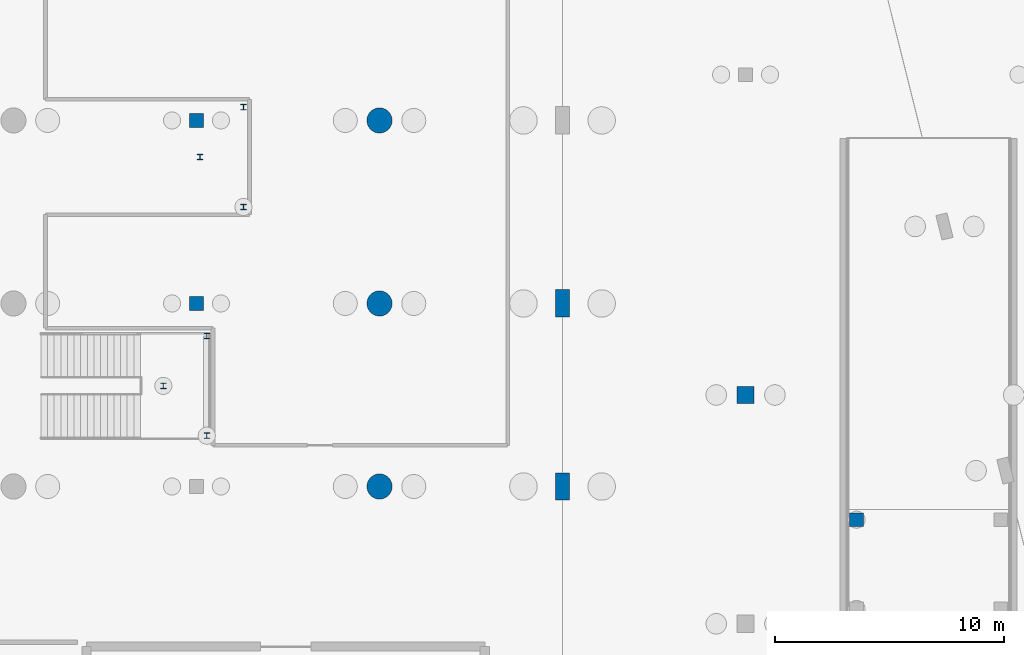
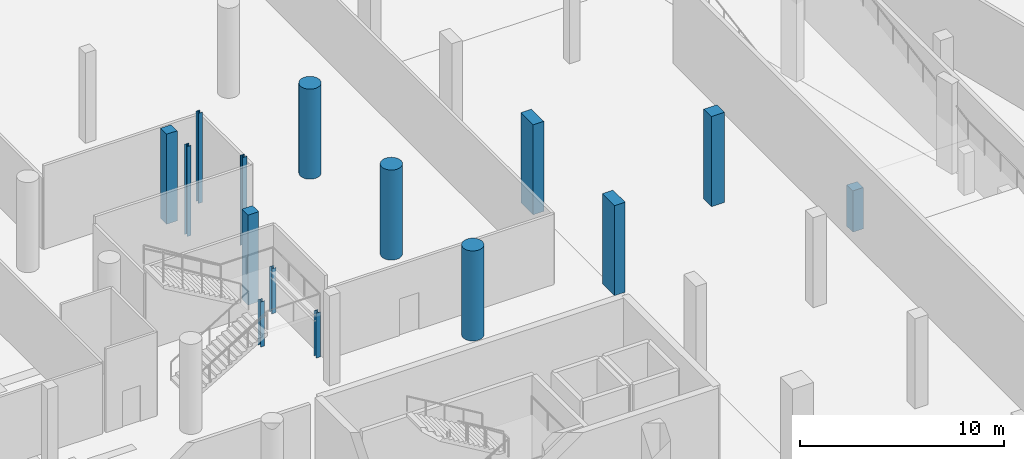
# One storey, part 35 of 65: 15 columns.
"""IFC4 building model written with IfcOpenShell, lengths in metres."""

import ifcopenshell
import ifcopenshell.guid

model = None  # the IFC model being written
_history = None  # IfcOwnerHistory: only IFC2X3 demands one
_inside = {}  # id of a spatial element -> (the spatial element, [elements in it])
_under = {}  # id of a project, library or spatial element -> (it, [spatial elements below it])
_declared = {}  # id of a project -> (the project, [libraries it declares])
_typed = {}  # id of a type object -> (the type object, [elements of that type])
_made_of = {}  # id of a material, layer set ... -> (it, [elements and type objects made of it])


def new_model(schema):
    """Start an empty IFC model of exactly this schema.

    Asked for "IFC4X3", IfcOpenShell would pick the latest addendum, in which some entities
    have other attributes; the version numbers below select the first issue.
    IFC2X3 requires an IfcOwnerHistory on every rooted entity: one is made here for all.
    """
    global model, _history
    if schema == "IFC4X3":
        model = ifcopenshell.file(schema_version=(4, 3, 0, 0))
    else:
        model = ifcopenshell.file(schema=schema)
    _inside.clear()
    _under.clear()
    _declared.clear()
    _typed.clear()
    _made_of.clear()
    _history = None
    if model.schema == "IFC2X3":
        org = make("IfcOrganization", Name="unknown")
        user = make(
            "IfcPersonAndOrganization",
            ThePerson=make("IfcPerson", FamilyName="unknown"),
            TheOrganization=org,
        )
        app = make(
            "IfcApplication",
            ApplicationDeveloper=org,
            Version="unknown",
            ApplicationFullName="unknown",
            ApplicationIdentifier="unknown",
        )
        _history = make(
            "IfcOwnerHistory",
            OwningUser=user,
            OwningApplication=app,
            ChangeAction="ADDED",
            CreationDate=0,
        )
    return model


def make(cls, **values):
    """One entity of the class cls with the attributes given. An attribute that is None is left unset."""
    return model.create_entity(
        cls, **{name: value for name, value in values.items() if value is not None}
    )


def rooted(cls, **values):
    """An entity with a GlobalId (a new one), such as an element, a storey or a relation."""
    return make(cls, GlobalId=ifcopenshell.guid.new(), OwnerHistory=_history, **values)


def si_unit(unit_type, name, prefix=None):
    """IfcSIUnit, for example si_unit("LENGTHUNIT", "METRE", prefix="MILLI")."""
    return make("IfcSIUnit", UnitType=unit_type, Prefix=prefix, Name=name)


def assignment(units):
    """IfcUnitAssignment: the units of a project."""
    return None if units is None else make("IfcUnitAssignment", Units=units)


def point(xyz):
    """IfcCartesianPoint."""
    return None if xyz is None else make("IfcCartesianPoint", Coordinates=xyz)


def direction(xyz):
    """IfcDirection."""
    return None if xyz is None else make("IfcDirection", DirectionRatios=xyz)


def frame(location, z_axis=None, x_axis=None):
    """IfcAxis2Placement3D, a coordinate frame: its origin and axes. An axis left out is left unset."""
    return make(
        "IfcAxis2Placement3D",
        Location=point(location),
        Axis=direction(z_axis),
        RefDirection=direction(x_axis),
    )


def frame_2d(location, x_axis=None):
    """IfcAxis2Placement2D, a coordinate frame in the plane: its origin and x axis."""
    return make(
        "IfcAxis2Placement2D", Location=point(location), RefDirection=direction(x_axis)
    )


def origin():
    """The frame at (0, 0, 0) with its axes left unset."""
    return frame((0.0, 0.0, 0.0))


def origin_2d():
    """The frame at (0, 0) in the plane with its x axis left unset."""
    return frame_2d((0.0, 0.0))


def place(relative_to, where):
    """IfcLocalPlacement: puts the frame where relative to a parent placement (None: the world)."""
    return make(
        "IfcLocalPlacement", PlacementRelTo=relative_to, RelativePlacement=where
    )


def context(
    kind, dimensions, precision=None, world=None, true_north=None, identifier=None
):
    """IfcGeometricRepresentationContext, for example the 3D "Model" context."""
    return make(
        "IfcGeometricRepresentationContext",
        ContextIdentifier=identifier,
        ContextType=kind,
        CoordinateSpaceDimension=dimensions,
        Precision=precision,
        WorldCoordinateSystem=world,
        TrueNorth=true_north,
    )


def subcontext(parent, identifier, kind, view, scale=None):
    """IfcGeometricRepresentationSubContext, for example "Body" below "Model"."""
    return make(
        "IfcGeometricRepresentationSubContext",
        ContextIdentifier=identifier,
        ContextType=kind,
        ParentContext=parent,
        TargetScale=scale,
        TargetView=view,
    )


def project(units=None, contexts=None):
    """IfcProject with its units and contexts."""
    return rooted(
        "IfcProject",
        Name="project",
        RepresentationContexts=contexts,
        UnitsInContext=assignment(units),
    )


def spatial(cls, under=None, at=None, **own):
    """A site, building, storey or space (cls), placed at a placement, below another one or the project."""
    s = rooted(cls, ObjectPlacement=at, **own)
    if under is not None:
        _under.setdefault(under.id(), (under, []))[1].append(s)
    return s


def profile(cls, at=None, kind="AREA", **sizes):
    """A parametric profile (cls). Its sizes go by their IFC names, for example OverallWidth=200.0."""
    return make(cls, ProfileType=kind, Position=at, **sizes)


def rectangle(**sizes):
    """IfcRectangleProfileDef."""
    return profile("IfcRectangleProfileDef", **sizes)


def circle(**sizes):
    """IfcCircleProfileDef."""
    return profile("IfcCircleProfileDef", **sizes)


def i_section(**sizes):
    """IfcIShapeProfileDef."""
    return profile("IfcIShapeProfileDef", **sizes)


def extrude(swept, where, along, depth):
    """IfcExtrudedAreaSolid: the profile swept, set in the frame where, extruded along a direction by depth."""
    return make(
        "IfcExtrudedAreaSolid",
        SweptArea=swept,
        Position=where,
        ExtrudedDirection=direction(along),
        Depth=depth,
    )


def shape(context_of_items, identifier, shape_type, items):
    """IfcShapeRepresentation: the items that make up one representation, for example the "Body"."""
    return make(
        "IfcShapeRepresentation",
        ContextOfItems=context_of_items,
        RepresentationIdentifier=identifier,
        RepresentationType=shape_type,
        Items=items,
    )


def material(Name=None, Category=None):
    """IfcMaterial."""
    return make("IfcMaterial", Name=Name, Category=Category)


def material_profile(
    of_material, cross_section, Name=None, Category=None, Priority=None
):
    """IfcMaterialProfile: a cross section and its material."""
    return make(
        "IfcMaterialProfile",
        Name=Name,
        Material=of_material,
        Profile=cross_section,
        Priority=Priority,
        Category=Category,
    )


def profile_set(profiles, Name=None, composite=None):
    """IfcMaterialProfileSet."""
    return make(
        "IfcMaterialProfileSet",
        Name=Name,
        MaterialProfiles=profiles,
        CompositeProfile=composite,
    )


def made_of(thing, what):
    """Note that an element or type object is made of a material, layer set ...; save() writes the relation."""
    if what is not None:
        _made_of.setdefault(what.id(), (what, []))[1].append(thing)
    return thing


def type_object(cls, material=None, **own):
    """A type object (cls), such as IfcWallType, which elements share."""
    return made_of(rooted(cls, **own), material)


def element(
    cls,
    number,
    at=None,
    inside=None,
    cuts=None,
    type_object=None,
    material=None,
    context=None,
    identifier="Body",
    shape_type=None,
    held_by="IfcProductDefinitionShape",
    body=None,
    shapes=None,
    **own,
):
    """One element of the class cls, such as IfcWall. Its Tag is "e" and its number.

    at: its placement. inside: the storey or other place that contains it. cuts: it is an
    opening in that element (IfcRelVoidsElement). A single representation is given by context,
    identifier, shape_type and body (its items); several are given by shapes. held_by: the class
    of the entity that holds the representations. save() writes the other relations.
    """
    e = rooted(cls, Tag="e%d" % number, ObjectPlacement=at, **own)
    if body is not None:
        shapes = [shape(context, identifier, shape_type, body)]
    if shapes is not None:
        e.Representation = make(held_by, Representations=shapes)
    if inside is not None:
        _inside.setdefault(inside.id(), (inside, []))[1].append(e)
    if cuts is not None:
        rooted(
            "IfcRelVoidsElement", RelatingBuildingElement=cuts, RelatedOpeningElement=e
        )
    if type_object is not None:
        _typed.setdefault(type_object.id(), (type_object, []))[1].append(e)
    return made_of(e, material)


def aggregate(whole, parts):
    """IfcRelAggregates: a whole, such as a stair, and the parts it consists of."""
    return rooted("IfcRelAggregates", RelatingObject=whole, RelatedObjects=parts)


def save(model, path):
    """Write the relations noted so far, then the file.

    IfcRelAggregates (storeys below a building ...), IfcRelContainedInSpatialStructure (elements
    in a storey), IfcRelDefinesByType, IfcRelAssociatesMaterial and IfcRelDeclares: one each for
    every whole, place, type object, material and project.
    """
    for whole, parts in _under.values():
        aggregate(whole, parts)
    for where, things in _inside.values():
        rooted(
            "IfcRelContainedInSpatialStructure",
            RelatedElements=things,
            RelatingStructure=where,
        )
    for kind, things in _typed.values():
        rooted("IfcRelDefinesByType", RelatedObjects=things, RelatingType=kind)
    for what, things in _made_of.values():
        rooted("IfcRelAssociatesMaterial", RelatedObjects=things, RelatingMaterial=what)
    for by, libraries in _declared.values():
        rooted("IfcRelDeclares", RelatingContext=by, RelatedDefinitions=libraries)
    model.write(path)


model = new_model("IFC4")

# Units and contexts
model_context = context("Model", 3, precision=1e-05, world=origin(), true_north=direction((0.0, 1.0)))
body_context = subcontext(model_context, "Body", "Model", "MODEL_VIEW")
ifc_project = project(units=[si_unit("LENGTHUNIT", "METRE"), si_unit("AREAUNIT", "SQUARE_METRE"), si_unit("VOLUMEUNIT", "CUBIC_METRE"), si_unit("PLANEANGLEUNIT", "RADIAN"), si_unit("MASSUNIT", "GRAM", prefix="KILO")], contexts=[model_context])

# Site, building, storey
site_placement = place(None, origin())
site = spatial("IfcSite", under=ifc_project, at=site_placement, CompositionType="ELEMENT")
building_placement = place(site_placement, origin())
building = spatial("IfcBuilding", under=site, at=building_placement, Name="Khorjan Park Terminus", CompositionType="ELEMENT")
storey_placement = place(building_placement, frame((0.0, 0.0, -5.4)))
storey = spatial("IfcBuildingStorey", under=building, at=storey_placement, Name="B1", CompositionType="ELEMENT", Elevation=-5.4)

# Columns
ifc_material_1 = material(Name="Concrete C50/60", Category="concrete")
ifc_material_profile_1 = material_profile(ifc_material_1, rectangle(XDim=0.6, YDim=1.2, at=origin_2d()), Name="RC 600x1200")
ifc_profile_set_1 = profile_set([ifc_material_profile_1], Name="Concrete C50/60")
column_type_1 = type_object("IfcColumnType", Name="COL-BL1200", PredefinedType="COLUMN", material=ifc_profile_set_1)
for number, where, z_axis, x_axis, name in (
    (1, (136.0, 44.0, 0.0), (0.0, 0.0, 1.0), (1.0, 0.0, 0.0), "Structural column C-BL12 (B1 #476)"),
    (2, (136.0, 52.0, 0.0), (0.0, 0.0, 1.0), (1.0, 0.0, 0.0), "Structural column C-BL12 (B1 #481)"),
):
    element("IfcColumn", number, at=place(storey_placement, frame(where, z_axis=z_axis, x_axis=x_axis)), inside=storey, type_object=column_type_1, Name=name, PredefinedType="COLUMN", context=body_context, shape_type="SweptSolid", body=[
        extrude(rectangle(XDim=0.6, YDim=1.2, at=origin_2d()), origin(), (0.0, 0.0, 1.0), 5.4),
    ])
ifc_material_2 = material(Name="Steel S355", Category="steel")
ifc_material_profile_2 = material_profile(ifc_material_2, i_section(OverallWidth=0.24, OverallDepth=0.24, WebThickness=0.01, FlangeThickness=0.017, FilletRadius=0.021, at=origin_2d()), Name="HEB 240")
ifc_profile_set_2 = profile_set([ifc_material_profile_2], Name="Steel S355")
column_type_2 = type_object("IfcColumnType", Name="COL-HB240", PredefinedType="COLUMN", material=ifc_profile_set_2)
for number, where, z_axis, x_axis, name in (
    (3, (120.45, 46.22, 0.0), (0.0, 0.0, 1.0), (1.0, 0.0, 0.0), "Structural column SC-H24 (B1 #1029)"),
    (4, (120.45, 50.58, 0.0), (0.0, 0.0, 1.0), (1.0, 0.0, 0.0), "Structural column SC-H24 (B1 #1030)"),
    (5, (118.55, 48.4, 0.0), (0.0, 0.0, 1.0), (1.0, 0.0, 0.0), "Structural column SC-H24 (B1 #1031)"),
):
    element("IfcColumn", number, at=place(storey_placement, frame(where, z_axis=z_axis, x_axis=x_axis)), inside=storey, type_object=column_type_2, Name=name, PredefinedType="COLUMN", context=body_context, shape_type="SweptSolid", body=[
        extrude(i_section(OverallWidth=0.24, OverallDepth=0.24, WebThickness=0.01, FlangeThickness=0.017, FilletRadius=0.021, at=origin_2d()), origin(), (0.0, 0.0, 1.0), 2.7),
    ])
for number, where, z_axis, x_axis, name in (
    (6, (122.05, 56.22, 0.0), (0.0, 0.0, 1.0), (1.0, 0.0, 0.0), "Structural column SC-H24 (B1 #1038)"),
    (7, (122.05, 60.58, 0.0), (0.0, 0.0, 1.0), (1.0, 0.0, 0.0), "Structural column SC-H24 (B1 #1041)"),
    (8, (120.15, 58.4, 0.0), (0.0, 0.0, 1.0), (1.0, 0.0, 0.0), "Structural column SC-H24 (B1 #1044)"),
):
    element("IfcColumn", number, at=place(storey_placement, frame(where, z_axis=z_axis, x_axis=x_axis)), inside=storey, type_object=column_type_2, Name=name, PredefinedType="COLUMN", context=body_context, shape_type="SweptSolid", body=[
        extrude(i_section(OverallWidth=0.24, OverallDepth=0.24, WebThickness=0.01, FlangeThickness=0.017, FilletRadius=0.021, at=origin_2d()), origin(), (0.0, 0.0, 1.0), 5.4),
    ])
ifc_material_3 = material(Name="Concrete C40/50", Category="concrete")
ifc_material_profile_3 = material_profile(ifc_material_3, rectangle(XDim=0.6, YDim=0.6, at=origin_2d()), Name="RC 600x600")
ifc_profile_set_3 = profile_set([ifc_material_profile_3], Name="Concrete C40/50")
column_type_3 = type_object("IfcColumnType", Name="COL-RC600", PredefinedType="COLUMN", material=ifc_profile_set_3)
for number, where, z_axis, x_axis, name in (
    (9, (120.0, 52.0, 0.0), (0.0, 0.0, 1.0), (1.0, 0.0, 0.0), "Structural column C-RC06 (B1 #432)"),
    (10, (120.0, 60.0, 0.0), (0.0, 0.0, 1.0), (1.0, 0.0, 0.0), "Structural column C-RC06 (B1 #433)"),
):
    element("IfcColumn", number, at=place(storey_placement, frame(where, z_axis=z_axis, x_axis=x_axis)), inside=storey, type_object=column_type_3, Name=name, PredefinedType="COLUMN", context=body_context, shape_type="SweptSolid", body=[
        extrude(rectangle(XDim=0.6, YDim=0.6, at=origin_2d()), origin(), (0.0, 0.0, 1.0), 5.4),
    ])
column_1_placement = place(storey_placement, frame((148.85, 42.55, 0.0), z_axis=(0.0, 0.0, 1.0), x_axis=(1.0, 0.0, 0.0)))
element("IfcColumn", 11, at=column_1_placement, inside=storey, type_object=column_type_3, Name="Structural column C-RC06 (B1 #539)", PredefinedType="COLUMN", context=body_context, shape_type="SweptSolid", body=[
    extrude(rectangle(XDim=0.6, YDim=0.6, at=origin_2d()), origin(), (0.0, 0.0, 1.0), 2.48),
])
ifc_material_profile_4 = material_profile(ifc_material_3, rectangle(XDim=0.75, YDim=0.75, at=origin_2d()), Name="RC 750x750")
ifc_profile_set_4 = profile_set([ifc_material_profile_4], Name="Concrete C40/50")
column_type_4 = type_object("IfcColumnType", Name="COL-RC750", PredefinedType="COLUMN", material=ifc_profile_set_4)
column_2_placement = place(storey_placement, frame((144.0, 48.0, 0.0), z_axis=(0.0, 0.0, 1.0), x_axis=(1.0, 0.0, 0.0)))
element("IfcColumn", 12, at=column_2_placement, inside=storey, type_object=column_type_4, Name="Structural column C-RC75 (B1 #934)", PredefinedType="COLUMN", context=body_context, shape_type="SweptSolid", body=[
    extrude(rectangle(XDim=0.75, YDim=0.75, at=origin_2d()), origin(), (0.0, 0.0, 1.0), 5.4),
])
ifc_material_profile_5 = material_profile(ifc_material_1, circle(Radius=0.55, at=origin_2d()), Name="RC D1100")
ifc_profile_set_5 = profile_set([ifc_material_profile_5], Name="Concrete C50/60")
column_type_5 = type_object("IfcColumnType", Name="COL-RD1100", PredefinedType="COLUMN", material=ifc_profile_set_5)
for number, where, z_axis, x_axis, name in (
    (13, (128.0, 44.0, 0.0), (0.0, 0.0, 1.0), (1.0, 0.0, 0.0), "Structural column C-RD11 (B1 #446)"),
    (14, (128.0, 52.0, 0.0), (0.0, 0.0, 1.0), (1.0, 0.0, 0.0), "Structural column C-RD11 (B1 #449)"),
    (15, (128.0, 60.0, 0.0), (0.0, 0.0, 1.0), (1.0, 0.0, 0.0), "Structural column C-RD11 (B1 #452)"),
):
    element("IfcColumn", number, at=place(storey_placement, frame(where, z_axis=z_axis, x_axis=x_axis)), inside=storey, type_object=column_type_5, Name=name, PredefinedType="COLUMN", context=body_context, shape_type="SweptSolid", body=[
        extrude(circle(Radius=0.55, at=origin_2d()), origin(), (0.0, 0.0, 1.0), 5.4),
    ])

save(model, "model.ifc")
